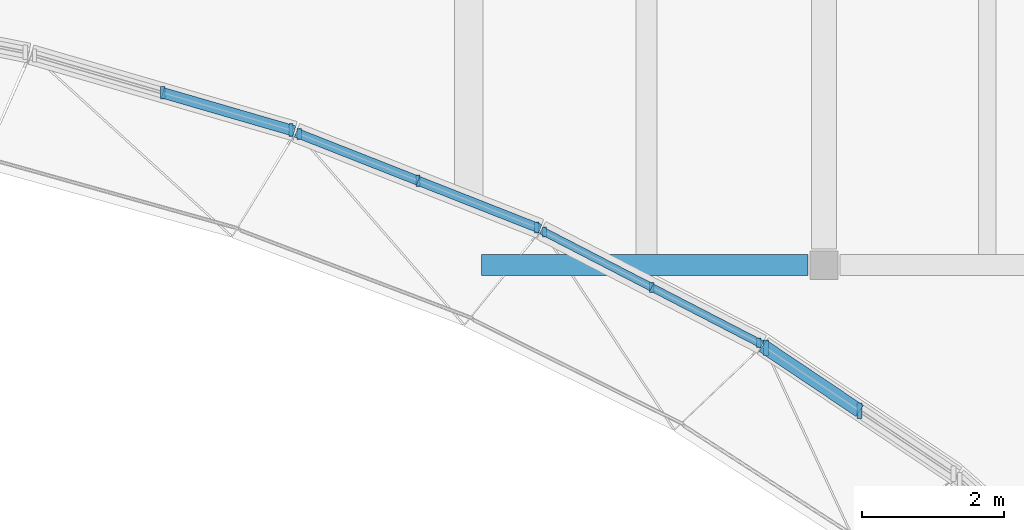
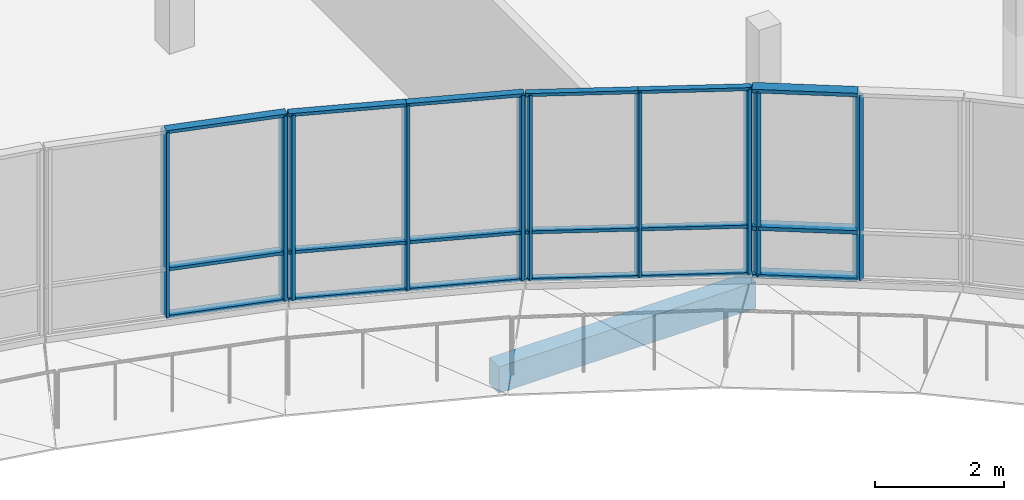
# One storey, part 13 of 41: 28 members, 1 beam, 4 elements without a shape of their own.
"""IFC4 building model written with IfcOpenShell, lengths in metres."""

from ifc_helpers import new_model, si_unit, direction, frame, origin, origin_2d, place, context, subcontext, project, spatial, rectangle, extrude, material, material_profile, profile_set, type_object, element, aggregate, save


model = new_model("IFC4")

# Units and contexts
model_context = context("Model", 3, precision=1e-05, world=origin(), true_north=direction((0.0, 1.0)))
body_context = subcontext(model_context, "Body", "Model", "MODEL_VIEW")
ifc_project = project(units=[si_unit("LENGTHUNIT", "METRE"), si_unit("AREAUNIT", "SQUARE_METRE"), si_unit("VOLUMEUNIT", "CUBIC_METRE"), si_unit("PLANEANGLEUNIT", "RADIAN"), si_unit("MASSUNIT", "GRAM", prefix="KILO")], contexts=[model_context])

# Site, building, storey
site_placement = place(None, origin())
site = spatial("IfcSite", under=ifc_project, at=site_placement, CompositionType="ELEMENT")
building_placement = place(site_placement, origin())
building = spatial("IfcBuilding", under=site, at=building_placement, Name="Mzevani Central Library", CompositionType="ELEMENT")
storey_placement = place(building_placement, frame((0.0, 0.0, 13.800048828125)))
storey = spatial("IfcBuildingStorey", under=building, at=storey_placement, Name="L03", CompositionType="ELEMENT", Elevation=13.800048828125)

# Beam
ifc_material_1 = material(Name="Concrete C35/45", Category="concrete")
ifc_material_profile_1 = material_profile(ifc_material_1, rectangle(XDim=0.300048828125, YDim=0.5, at=origin_2d()), Name="RC B300x500")
ifc_profile_set_1 = profile_set([ifc_material_profile_1], Name="Concrete C35/45")
beam_type = type_object("IfcBeamType", Name="Beam RC 300x500", PredefinedType="BEAM", material=ifc_profile_set_1)
beam_placement = place(storey_placement, frame((102.574951171875, 90.39990234375, -0.530029296875), z_axis=(1.0, 0.0, 0.0), x_axis=(0.0, 1.0, 0.0)))
element("IfcBeam", 1, at=beam_placement, inside=storey, type_object=beam_type, Name="L03 V3 Girder B-01 (636)", PredefinedType="BEAM", context=body_context, shape_type="SweptSolid", body=[
    extrude(rectangle(XDim=0.300048828125, YDim=0.5, at=origin_2d()), origin(), (0.0, 0.0, 1.0), 4.60009765625),
])

# Curtain wall, members
ifc_material_2 = material(Name="Thermally broken aluminium and Low-E triple glazing", Category="aluminium")
curtain_wall_type_1 = type_object("IfcCurtainWallType", Name="Reading Hall Northlight Curtain Wall", PredefinedType="NOTDEFINED", material=ifc_material_2)
curtain_wall_1_placement = place(storey_placement, origin())
curtain_wall_1 = element("IfcCurtainWall", 2, at=curtain_wall_1_placement, inside=storey, type_object=curtain_wall_type_1, Name="L03 Elliptical Court Curtain Wall 7", PredefinedType="NOTDEFINED")
ifc_material_3 = material(Name="Thermally broken aluminium AW-6060", Category="aluminium")
ifc_material_profile_2 = material_profile(ifc_material_3, rectangle(XDim=0.06005859375, YDim=0.139892578125, at=origin_2d()), Name="ALU M60x140")
ifc_profile_set_2 = profile_set([ifc_material_profile_2], Name="Thermally broken aluminium AW-6060")
member_type_1 = type_object("IfcMemberType", Name="CW Mullion 60x140", PredefinedType="MULLION", material=ifc_profile_set_2)
member_1_placement = place(storey_placement, frame((106.482666015625, 89.306396484375, 0.719970703125), z_axis=(0.0, 0.0, 1.0), x_axis=(1.0, 0.0, 0.0)))
member_1 = element("IfcMember", 3, at=member_1_placement, type_object=member_type_1, Name="L03 Elliptical Court Curtain Wall 7 Mullion 1", PredefinedType="MULLION", context=body_context, shape_type="SweptSolid", body=[
    extrude(rectangle(XDim=0.06005859375, YDim=0.139892578125, at=origin_2d()), origin(), (0.0, 0.0, 1.0), 3.5),
])
member_2_placement = place(storey_placement, frame((104.973388671875, 90.086181640625, 0.719970703125), z_axis=(0.0, 0.0, 1.0), x_axis=(1.0, 0.0, 0.0)))
member_2 = element("IfcMember", 4, at=member_2_placement, type_object=member_type_1, Name="L03 Elliptical Court Curtain Wall 7 Mullion 2", PredefinedType="MULLION", context=body_context, shape_type="SweptSolid", body=[
    extrude(rectangle(XDim=0.06005859375, YDim=0.139892578125, at=origin_2d()), origin(), (0.0, 0.0, 1.0), 3.5),
])
member_3_placement = place(storey_placement, frame((103.4638671875, 90.865966796875, 0.719970703125), z_axis=(0.0, 0.0, 1.0), x_axis=(1.0, 0.0, 0.0)))
member_3 = element("IfcMember", 5, at=member_3_placement, type_object=member_type_1, Name="L03 Elliptical Court Curtain Wall 7 Mullion 3", PredefinedType="MULLION", context=body_context, shape_type="SweptSolid", body=[
    extrude(rectangle(XDim=0.06005859375, YDim=0.139892578125, at=origin_2d()), origin(), (0.0, 0.0, 1.0), 3.5),
])

curtain_wall_type_2 = type_object("IfcCurtainWallType", Name="Elliptical Court Unitised Curtain Wall", PredefinedType="NOTDEFINED", material=ifc_material_2)
curtain_wall_2_placement = place(storey_placement, origin())
curtain_wall_2 = element("IfcCurtainWall", 6, at=curtain_wall_2_placement, inside=storey, type_object=curtain_wall_type_2, Name="L03 Elliptical Court Curtain Wall 8", PredefinedType="NOTDEFINED")
ifc_material_profile_3 = material_profile(ifc_material_3, rectangle(XDim=0.06005859375, YDim=0.159912109375, at=origin_2d()), Name="ALU M60x160")
ifc_profile_set_3 = profile_set([ifc_material_profile_3], Name="Thermally broken aluminium AW-6060")
member_type_2 = type_object("IfcMemberType", Name="CW Mullion 60x160", PredefinedType="MULLION", material=ifc_profile_set_3)
member_4_placement = place(storey_placement, frame((103.35546875, 90.929931640625, 0.719970703125), z_axis=(0.0, 0.0, 1.0), x_axis=(1.0, 0.0, 0.0)))
member_4 = element("IfcMember", 7, at=member_4_placement, type_object=member_type_2, Name="L03 Elliptical Court Curtain Wall 8 Mullion 1", PredefinedType="MULLION", context=body_context, shape_type="SweptSolid", body=[
    extrude(rectangle(XDim=0.06005859375, YDim=0.159912109375, at=origin_2d()), origin(), (0.0, 0.0, 1.0), 3.5),
])
member_5_placement = place(storey_placement, frame((101.683349609375, 91.587890625, 0.719970703125), z_axis=(0.0, 0.0, 1.0), x_axis=(1.0, 0.0, 0.0)))
member_5 = element("IfcMember", 8, at=member_5_placement, type_object=member_type_2, Name="L03 Elliptical Court Curtain Wall 8 Mullion 2", PredefinedType="MULLION", context=body_context, shape_type="SweptSolid", body=[
    extrude(rectangle(XDim=0.06005859375, YDim=0.159912109375, at=origin_2d()), origin(), (0.0, 0.0, 1.0), 3.5),
])
member_6_placement = place(storey_placement, frame((100.011474609375, 92.245849609375, 0.719970703125), z_axis=(0.0, 0.0, 1.0), x_axis=(1.0, 0.0, 0.0)))
member_6 = element("IfcMember", 9, at=member_6_placement, type_object=member_type_2, Name="L03 Elliptical Court Curtain Wall 8 Mullion 3", PredefinedType="MULLION", context=body_context, shape_type="SweptSolid", body=[
    extrude(rectangle(XDim=0.06005859375, YDim=0.159912109375, at=origin_2d()), origin(), (0.0, 0.0, 1.0), 3.5),
])

curtain_wall_3_placement = place(storey_placement, origin())
curtain_wall_3 = element("IfcCurtainWall", 10, at=curtain_wall_3_placement, inside=storey, type_object=curtain_wall_type_2, Name="L03 Elliptical Court Curtain Wall 9", PredefinedType="NOTDEFINED")
ifc_material_profile_4 = material_profile(ifc_material_3, rectangle(XDim=0.06005859375, YDim=0.179931640625, at=origin_2d()), Name="ALU M60x180")
ifc_profile_set_4 = profile_set([ifc_material_profile_4], Name="Thermally broken aluminium AW-6060")
member_type_3 = type_object("IfcMemberType", Name="CW Mullion 60x180", PredefinedType="MULLION", material=ifc_profile_set_4)
member_7_placement = place(storey_placement, frame((99.89306640625, 92.30126953125, 0.719970703125), z_axis=(0.0, 0.0, 1.0), x_axis=(1.0, 0.0, 0.0)))
member_7 = element("IfcMember", 11, at=member_7_placement, type_object=member_type_3, Name="L03 Elliptical Court Curtain Wall 9 Mullion 1", PredefinedType="MULLION", context=body_context, shape_type="SweptSolid", body=[
    extrude(rectangle(XDim=0.06005859375, YDim=0.179931640625, at=origin_2d()), origin(), (0.0, 0.0, 1.0), 3.5),
])
member_8_placement = place(storey_placement, frame((98.087646484375, 92.82568359375, 0.719970703125), z_axis=(0.0, 0.0, 1.0), x_axis=(1.0, 0.0, 0.0)))
member_8 = element("IfcMember", 12, at=member_8_placement, type_object=member_type_3, Name="L03 Elliptical Court Curtain Wall 9 Mullion 2", PredefinedType="MULLION", context=body_context, shape_type="SweptSolid", body=[
    extrude(rectangle(XDim=0.06005859375, YDim=0.179931640625, at=origin_2d()), origin(), (0.0, 0.0, 1.0), 3.5),
])

curtain_wall_4_placement = place(storey_placement, origin())
curtain_wall_4 = element("IfcCurtainWall", 13, at=curtain_wall_4_placement, inside=storey, type_object=curtain_wall_type_2, Name="L03 Elliptical Court Curtain Wall 6", PredefinedType="NOTDEFINED")
ifc_material_profile_5 = material_profile(ifc_material_3, rectangle(XDim=0.070068359375, YDim=0.219970703125, at=origin_2d()), Name="ALU M70x220")
ifc_profile_set_5 = profile_set([ifc_material_profile_5], Name="Thermally broken aluminium AW-6060")
member_type_4 = type_object("IfcMemberType", Name="CW Mullion 70x220", PredefinedType="MULLION", material=ifc_profile_set_5)
member_9_placement = place(storey_placement, frame((107.902587890625, 88.3466796875, 0.719970703125), z_axis=(0.0, 0.0, 1.0), x_axis=(1.0, 0.0, 0.0)))
member_9 = element("IfcMember", 14, at=member_9_placement, type_object=member_type_4, Name="L03 Elliptical Court Curtain Wall 6 Mullion 2", PredefinedType="MULLION", context=body_context, shape_type="SweptSolid", body=[
    extrude(rectangle(XDim=0.070068359375, YDim=0.219970703125, at=origin_2d()), origin(), (0.0, 0.0, 1.0), 3.5),
])
member_10_placement = place(storey_placement, frame((106.58154296875, 89.234130859375, 0.719970703125), z_axis=(0.0, 0.0, 1.0), x_axis=(1.0, 0.0, 0.0)))
member_10 = element("IfcMember", 15, at=member_10_placement, type_object=member_type_4, Name="L03 Elliptical Court Curtain Wall 6 Mullion 3", PredefinedType="MULLION", context=body_context, shape_type="SweptSolid", body=[
    extrude(rectangle(XDim=0.070068359375, YDim=0.219970703125, at=origin_2d()), origin(), (0.0, 0.0, 1.0), 3.5),
])

# Member
ifc_material_profile_6 = material_profile(ifc_material_3, rectangle(XDim=0.110107421875, YDim=0.06005859375, at=origin_2d()), Name="ALU T60x110")
ifc_profile_set_6 = profile_set([ifc_material_profile_6], Name="Thermally broken aluminium AW-6060")
member_type_5 = type_object("IfcMemberType", Name="CW Transom 60x110", PredefinedType="USERDEFINED", material=ifc_profile_set_6)
member_11_placement = place(storey_placement, frame((106.527099609375, 89.283447265625, 0.719970703125), z_axis=(-0.8884297022, 0.459012705977, 0.0), x_axis=(-0.459012705977, -0.8884297022, 0.0)))
member_11 = element("IfcMember", 16, at=member_11_placement, type_object=member_type_5, Name="L03 Elliptical Court Curtain Wall 7 Transom 1", ObjectType="TRANSOM", PredefinedType="USERDEFINED", context=body_context, shape_type="SweptSolid", body=[
    extrude(rectangle(XDim=0.110107421875, YDim=0.06005859375, at=origin_2d()), origin(), (0.0, 0.0, 1.0), 1.748779296875),
])

member_12_placement = place(storey_placement, frame((106.527099609375, 89.283447265625, 1.619873046875), z_axis=(-0.8884297022, 0.459012705977, 0.0), x_axis=(-0.459012705977, -0.8884297022, 0.0)))
member_12 = element("IfcMember", 17, at=member_12_placement, type_object=member_type_5, Name="L03 Elliptical Court Curtain Wall 7 Transom 2", ObjectType="TRANSOM", PredefinedType="USERDEFINED", context=body_context, shape_type="SweptSolid", body=[
    extrude(rectangle(XDim=0.110107421875, YDim=0.06005859375, at=origin_2d()), origin(), (0.0, 0.0, 1.0), 1.748779296875),
])

member_13_placement = place(storey_placement, frame((106.527099609375, 89.283447265625, 4.219970703125), z_axis=(-0.8884297022, 0.459012705977, 0.0), x_axis=(-0.459012705977, -0.8884297022, 0.0)))
member_13 = element("IfcMember", 18, at=member_13_placement, type_object=member_type_5, Name="L03 Elliptical Court Curtain Wall 7 Transom 3", ObjectType="TRANSOM", PredefinedType="USERDEFINED", context=body_context, shape_type="SweptSolid", body=[
    extrude(rectangle(XDim=0.110107421875, YDim=0.06005859375, at=origin_2d()), origin(), (0.0, 0.0, 1.0), 1.748779296875),
])

member_14_placement = place(storey_placement, frame((104.973388671875, 90.086181640625, 0.719970703125), z_axis=(-0.888459109932, 0.458955782161, 0.0), x_axis=(-0.458955782161, -0.888459109932, 0.0)))
member_14 = element("IfcMember", 19, at=member_14_placement, type_object=member_type_5, Name="L03 Elliptical Court Curtain Wall 7 Transom 4", ObjectType="TRANSOM", PredefinedType="USERDEFINED", context=body_context, shape_type="SweptSolid", body=[
    extrude(rectangle(XDim=0.110107421875, YDim=0.06005859375, at=origin_2d()), origin(), (0.0, 0.0, 1.0), 1.7490234375),
])

member_15_placement = place(storey_placement, frame((104.973388671875, 90.086181640625, 1.619873046875), z_axis=(-0.888459109932, 0.458955782161, 0.0), x_axis=(-0.458955782161, -0.888459109932, 0.0)))
member_15 = element("IfcMember", 20, at=member_15_placement, type_object=member_type_5, Name="L03 Elliptical Court Curtain Wall 7 Transom 5", ObjectType="TRANSOM", PredefinedType="USERDEFINED", context=body_context, shape_type="SweptSolid", body=[
    extrude(rectangle(XDim=0.110107421875, YDim=0.06005859375, at=origin_2d()), origin(), (0.0, 0.0, 1.0), 1.7490234375),
])

member_16_placement = place(storey_placement, frame((104.973388671875, 90.086181640625, 4.219970703125), z_axis=(-0.888459109932, 0.458955782161, 0.0), x_axis=(-0.458955782161, -0.888459109932, 0.0)))
member_16 = element("IfcMember", 21, at=member_16_placement, type_object=member_type_5, Name="L03 Elliptical Court Curtain Wall 7 Transom 6", ObjectType="TRANSOM", PredefinedType="USERDEFINED", context=body_context, shape_type="SweptSolid", body=[
    extrude(rectangle(XDim=0.110107421875, YDim=0.06005859375, at=origin_2d()), origin(), (0.0, 0.0, 1.0), 1.7490234375),
])

aggregate(curtain_wall_1, [member_1, member_2, member_3, member_11, member_12, member_13, member_14, member_15, member_16])

ifc_material_profile_7 = material_profile(ifc_material_3, rectangle(XDim=0.1298828125, YDim=0.06005859375, at=origin_2d()), Name="ALU T60x130")
ifc_profile_set_7 = profile_set([ifc_material_profile_7], Name="Thermally broken aluminium AW-6060")
member_type_6 = type_object("IfcMemberType", Name="CW Transom 60x130", PredefinedType="USERDEFINED", material=ifc_profile_set_7)
member_17_placement = place(storey_placement, frame((103.40185546875, 90.91162109375, 0.719970703125), z_axis=(-0.930540845143, 0.366188114937, 0.0), x_axis=(-0.366188114937, -0.930540845143, 0.0)))
member_17 = element("IfcMember", 22, at=member_17_placement, type_object=member_type_6, Name="L03 Elliptical Court Curtain Wall 8 Transom 1", ObjectType="TRANSOM", PredefinedType="USERDEFINED", context=body_context, shape_type="SweptSolid", body=[
    extrude(rectangle(XDim=0.1298828125, YDim=0.06005859375, at=origin_2d()), origin(), (0.0, 0.0, 1.0), 1.8466796875),
])

member_18_placement = place(storey_placement, frame((103.40185546875, 90.91162109375, 1.619873046875), z_axis=(-0.930540845143, 0.366188114937, 0.0), x_axis=(-0.366188114937, -0.930540845143, 0.0)))
member_18 = element("IfcMember", 23, at=member_18_placement, type_object=member_type_6, Name="L03 Elliptical Court Curtain Wall 8 Transom 2", ObjectType="TRANSOM", PredefinedType="USERDEFINED", context=body_context, shape_type="SweptSolid", body=[
    extrude(rectangle(XDim=0.1298828125, YDim=0.06005859375, at=origin_2d()), origin(), (0.0, 0.0, 1.0), 1.8466796875),
])

member_19_placement = place(storey_placement, frame((103.40185546875, 90.91162109375, 4.219970703125), z_axis=(-0.930540845143, 0.366188114937, 0.0), x_axis=(-0.366188114937, -0.930540845143, 0.0)))
member_19 = element("IfcMember", 24, at=member_19_placement, type_object=member_type_6, Name="L03 Elliptical Court Curtain Wall 8 Transom 3", ObjectType="TRANSOM", PredefinedType="USERDEFINED", context=body_context, shape_type="SweptSolid", body=[
    extrude(rectangle(XDim=0.1298828125, YDim=0.06005859375, at=origin_2d()), origin(), (0.0, 0.0, 1.0), 1.8466796875),
])

member_20_placement = place(storey_placement, frame((101.683349609375, 91.587890625, 0.719970703125), z_axis=(-0.930523114964, 0.366233166873, 0.0), x_axis=(-0.366233166873, -0.930523114964, 0.0)))
member_20 = element("IfcMember", 25, at=member_20_placement, type_object=member_type_6, Name="L03 Elliptical Court Curtain Wall 8 Transom 4", ObjectType="TRANSOM", PredefinedType="USERDEFINED", context=body_context, shape_type="SweptSolid", body=[
    extrude(rectangle(XDim=0.1298828125, YDim=0.06005859375, at=origin_2d()), origin(), (0.0, 0.0, 1.0), 1.846435546875),
])

member_21_placement = place(storey_placement, frame((101.683349609375, 91.587890625, 1.619873046875), z_axis=(-0.930523114964, 0.366233166873, 0.0), x_axis=(-0.366233166873, -0.930523114964, 0.0)))
member_21 = element("IfcMember", 26, at=member_21_placement, type_object=member_type_6, Name="L03 Elliptical Court Curtain Wall 8 Transom 5", ObjectType="TRANSOM", PredefinedType="USERDEFINED", context=body_context, shape_type="SweptSolid", body=[
    extrude(rectangle(XDim=0.1298828125, YDim=0.06005859375, at=origin_2d()), origin(), (0.0, 0.0, 1.0), 1.846435546875),
])

member_22_placement = place(storey_placement, frame((101.683349609375, 91.587890625, 4.219970703125), z_axis=(-0.930523114964, 0.366233166873, 0.0), x_axis=(-0.366233166873, -0.930523114964, 0.0)))
member_22 = element("IfcMember", 27, at=member_22_placement, type_object=member_type_6, Name="L03 Elliptical Court Curtain Wall 8 Transom 6", ObjectType="TRANSOM", PredefinedType="USERDEFINED", context=body_context, shape_type="SweptSolid", body=[
    extrude(rectangle(XDim=0.1298828125, YDim=0.06005859375, at=origin_2d()), origin(), (0.0, 0.0, 1.0), 1.846435546875),
])

aggregate(curtain_wall_2, [member_4, member_5, member_6, member_17, member_18, member_19, member_20, member_21, member_22])

ifc_material_profile_8 = material_profile(ifc_material_3, rectangle(XDim=0.14990234375, YDim=0.06005859375, at=origin_2d()), Name="ALU T60x150")
ifc_profile_set_8 = profile_set([ifc_material_profile_8], Name="Thermally broken aluminium AW-6060")
member_type_7 = type_object("IfcMemberType", Name="CW Transom 60x150", PredefinedType="USERDEFINED", material=ifc_profile_set_8)
member_23_placement = place(storey_placement, frame((99.941162109375, 92.287353515625, 0.719970703125), z_axis=(-0.960316723088, 0.278911798526, 0.0), x_axis=(-0.278911798526, -0.960316723088, 0.0)))
member_23 = element("IfcMember", 28, at=member_23_placement, type_object=member_type_7, Name="L03 Elliptical Court Curtain Wall 9 Transom 1", ObjectType="TRANSOM", PredefinedType="USERDEFINED", context=body_context, shape_type="SweptSolid", body=[
    extrude(rectangle(XDim=0.14990234375, YDim=0.06005859375, at=origin_2d()), origin(), (0.0, 0.0, 1.0), 1.93017578125),
])

member_24_placement = place(storey_placement, frame((99.941162109375, 92.287353515625, 1.619873046875), z_axis=(-0.960316723088, 0.278911798526, 0.0), x_axis=(-0.278911798526, -0.960316723088, 0.0)))
member_24 = element("IfcMember", 29, at=member_24_placement, type_object=member_type_7, Name="L03 Elliptical Court Curtain Wall 9 Transom 2", ObjectType="TRANSOM", PredefinedType="USERDEFINED", context=body_context, shape_type="SweptSolid", body=[
    extrude(rectangle(XDim=0.14990234375, YDim=0.06005859375, at=origin_2d()), origin(), (0.0, 0.0, 1.0), 1.93017578125),
])

member_25_placement = place(storey_placement, frame((99.941162109375, 92.287353515625, 4.219970703125), z_axis=(-0.960316723088, 0.278911798526, 0.0), x_axis=(-0.278911798526, -0.960316723088, 0.0)))
member_25 = element("IfcMember", 30, at=member_25_placement, type_object=member_type_7, Name="L03 Elliptical Court Curtain Wall 9 Transom 3", ObjectType="TRANSOM", PredefinedType="USERDEFINED", context=body_context, shape_type="SweptSolid", body=[
    extrude(rectangle(XDim=0.14990234375, YDim=0.06005859375, at=origin_2d()), origin(), (0.0, 0.0, 1.0), 1.93017578125),
])

aggregate(curtain_wall_3, [member_7, member_8, member_23, member_24, member_25])

ifc_material_profile_9 = material_profile(ifc_material_3, rectangle(XDim=0.18994140625, YDim=0.070068359375, at=origin_2d()), Name="ALU T70x190")
ifc_profile_set_9 = profile_set([ifc_material_profile_9], Name="Thermally broken aluminium AW-6060")
member_type_8 = type_object("IfcMemberType", Name="CW Transom 70x190", PredefinedType="USERDEFINED", material=ifc_profile_set_9)
member_26_placement = place(storey_placement, frame((107.902587890625, 88.3466796875, 0.719970703125), z_axis=(-0.830100159382, 0.557614315987, 0.0), x_axis=(-0.557614315987, -0.830100159382, 0.0)))
member_26 = element("IfcMember", 31, at=member_26_placement, type_object=member_type_8, Name="L03 Elliptical Court Curtain Wall 6 Transom 4", ObjectType="TRANSOM", PredefinedType="USERDEFINED", context=body_context, shape_type="SweptSolid", body=[
    extrude(rectangle(XDim=0.18994140625, YDim=0.070068359375, at=origin_2d()), origin(), (0.0, 0.0, 1.0), 1.641357421875),
])

member_27_placement = place(storey_placement, frame((107.902587890625, 88.3466796875, 1.619873046875), z_axis=(-0.830100159382, 0.557614315987, 0.0), x_axis=(-0.557614315987, -0.830100159382, 0.0)))
member_27 = element("IfcMember", 32, at=member_27_placement, type_object=member_type_8, Name="L03 Elliptical Court Curtain Wall 6 Transom 5", ObjectType="TRANSOM", PredefinedType="USERDEFINED", context=body_context, shape_type="SweptSolid", body=[
    extrude(rectangle(XDim=0.18994140625, YDim=0.070068359375, at=origin_2d()), origin(), (0.0, 0.0, 1.0), 1.641357421875),
])

member_28_placement = place(storey_placement, frame((107.902587890625, 88.3466796875, 4.219970703125), z_axis=(-0.830100159382, 0.557614315987, 0.0), x_axis=(-0.557614315987, -0.830100159382, 0.0)))
member_28 = element("IfcMember", 33, at=member_28_placement, type_object=member_type_8, Name="L03 Elliptical Court Curtain Wall 6 Transom 6", ObjectType="TRANSOM", PredefinedType="USERDEFINED", context=body_context, shape_type="SweptSolid", body=[
    extrude(rectangle(XDim=0.18994140625, YDim=0.070068359375, at=origin_2d()), origin(), (0.0, 0.0, 1.0), 1.641357421875),
])

aggregate(curtain_wall_4, [member_9, member_10, member_26, member_27, member_28])

save(model, "model.ifc")
